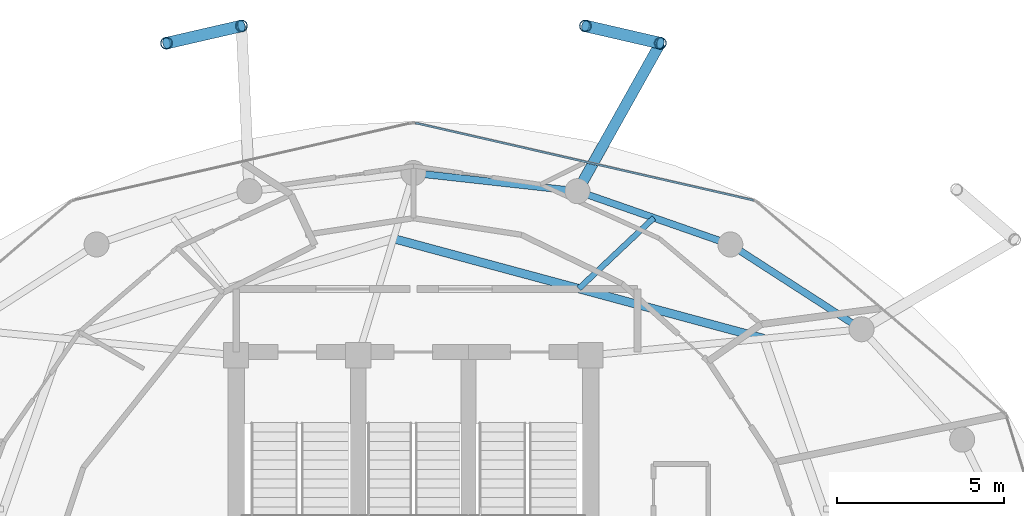
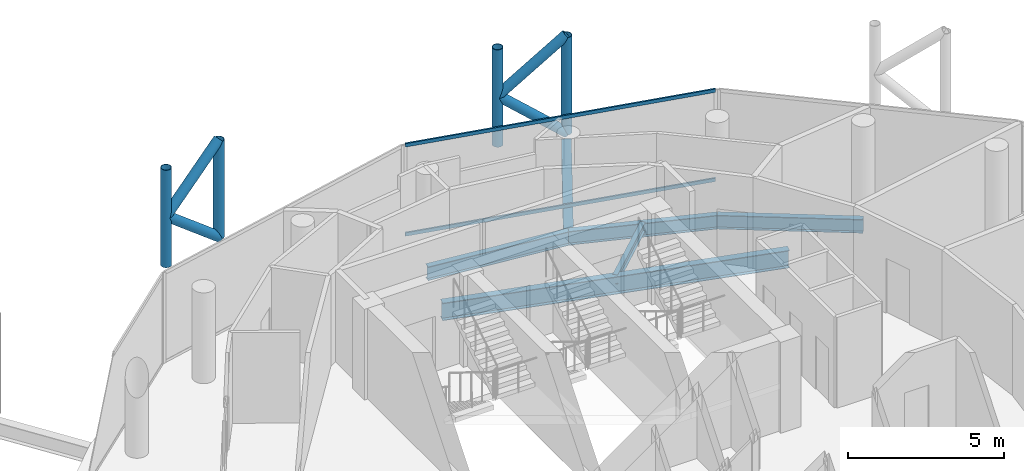
# One storey, part 17 of 24: 10 members, 6 beams, 1 element without a shape of its own.
"""IFC4 building model written with IfcOpenShell, lengths in metres."""

from ifc_helpers import new_model, si_unit, direction, frame, origin, origin_2d, place, context, subcontext, project, spatial, hollow_rectangle, hollow_circle, i_section, extrude, material, layer, layer_set, material_profile, profile_set, type_object, element, aggregate, save


model = new_model("IFC4")

# Units and contexts
model_context = context("Model", 3, precision=1e-05, world=origin(), true_north=direction((0.0, 1.0)))
body_context = subcontext(model_context, "Body", "Model", "MODEL_VIEW")
ifc_project = project(units=[si_unit("LENGTHUNIT", "METRE"), si_unit("AREAUNIT", "SQUARE_METRE"), si_unit("VOLUMEUNIT", "CUBIC_METRE"), si_unit("PLANEANGLEUNIT", "RADIAN"), si_unit("MASSUNIT", "GRAM", prefix="KILO")], contexts=[model_context])

# Site, building, storey
site_placement = place(None, origin())
site = spatial("IfcSite", under=ifc_project, at=site_placement, CompositionType="ELEMENT")
building_placement = place(site_placement, origin())
building = spatial("IfcBuilding", under=site, at=building_placement, Name="Nuhasar Tower", CompositionType="ELEMENT")
storey_placement = place(building_placement, frame((0.0, 0.0, 259.39990234375)))
storey = spatial("IfcBuildingStorey", under=building, at=storey_placement, Name="L64", CompositionType="ELEMENT", Elevation=259.39990234375)

# Beams
ifc_material_1 = material(Name="Steel S355", Category="steel")
ifc_material_profile_1 = material_profile(ifc_material_1, i_section(OverallWidth=0.25390625, OverallDepth=0.68408203125, WebThickness=0.012451171875, FlangeThickness=0.018798828125, at=origin_2d()), Name="W27X94")
ifc_profile_set_1 = profile_set([ifc_material_profile_1], Name="Steel S355")
beam_type_1 = type_object("IfcBeamType", Name="BM-INRING-W27X94", PredefinedType="BEAM", material=ifc_profile_set_1)
beam_1_placement = place(storey_placement, frame((49.48388671875, 37.798095703125, -0.601806640625), z_axis=(-0.965451835482, 0.260581567584, 0.0), x_axis=(-0.260581567584, -0.965451835482, 0.0)))
element("IfcBeam", 1, at=beam_1_placement, inside=storey, type_object=beam_type_1, Name="L64 Inner Header Beam 05", PredefinedType="BEAM", context=body_context, shape_type="SweptSolid", body=[
    extrude(i_section(OverallWidth=0.25390625, OverallDepth=0.68408203125, WebThickness=0.012451171875, FlangeThickness=0.018798828125, at=origin_2d()), origin(), (0.0, 0.0, 1.0), 11.474365234375),
])
ifc_material_profile_2 = material_profile(ifc_material_1, i_section(OverallWidth=0.1708984375, OverallDepth=0.35205078125, WebThickness=0.0068359375, FlangeThickness=0.009765625, at=origin_2d()), Name="W14X30")
ifc_profile_set_2 = profile_set([ifc_material_profile_2], Name="Steel S355")
beam_type_2 = type_object("IfcBeamType", Name="BM-JST-W14X30", PredefinedType="JOIST", material=ifc_profile_set_2)
beam_2_placement = place(storey_placement, frame((43.945068359375, 39.29296875, -0.435791015625), z_axis=(0.727532985224, 0.686072704173, 0.0), x_axis=(-0.686072704173, 0.727532985224, 0.0)))
element("IfcBeam", 2, at=beam_2_placement, inside=storey, type_object=beam_type_2, Name="L64 Secondary Floor Joist 05", PredefinedType="JOIST", context=body_context, shape_type="SweptSolid", body=[
    extrude(i_section(OverallWidth=0.1708984375, OverallDepth=0.35205078125, WebThickness=0.0068359375, FlangeThickness=0.009765625, at=origin_2d()), origin(), (0.0, 0.0, 1.0), 3.085693359375),
])
ifc_material_profile_3 = material_profile(ifc_material_1, i_section(OverallWidth=0.2099609375, OverallDepth=0.537109375, WebThickness=0.010986328125, FlangeThickness=0.017333984375, at=origin_2d()), Name="W21X68")
ifc_profile_set_3 = profile_set([ifc_material_profile_3], Name="Steel S355")
beam_type_3 = type_object("IfcBeamType", Name="BM-RING-W21X68", PredefinedType="SPANDREL", material=ifc_profile_set_3)
beam_3_placement = place(storey_placement, frame((52.39990234375, 38.077880859375, -0.52880859375), z_axis=(-0.840001671147, 0.54258381147, 0.0), x_axis=(-0.54258381147, -0.840001671147, 0.0)))
element("IfcBeam", 3, at=beam_3_placement, inside=storey, type_object=beam_type_3, Name="L64 Perimeter Ring Spandrel 04", PredefinedType="SPANDREL", context=body_context, shape_type="SweptSolid", body=[
    extrude(i_section(OverallWidth=0.2099609375, OverallDepth=0.537109375, WebThickness=0.010986328125, FlangeThickness=0.017333984375, at=origin_2d()), origin(), (0.0, 0.0, 1.0), 4.67236328125),
])
beam_4_placement = place(storey_placement, frame((48.47509765625, 40.613037109375, -0.52880859375), z_axis=(-0.944214043504, 0.329332415729, 0.0), x_axis=(-0.329332415729, -0.944214043504, 0.0)))
element("IfcBeam", 4, at=beam_4_placement, inside=storey, type_object=beam_type_3, Name="L64 Perimeter Ring Spandrel 05", PredefinedType="SPANDREL", context=body_context, shape_type="SweptSolid", body=[
    extrude(i_section(OverallWidth=0.2099609375, OverallDepth=0.537109375, WebThickness=0.010986328125, FlangeThickness=0.017333984375, at=origin_2d()), origin(), (0.0, 0.0, 1.0), 4.840087890625),
])
beam_5_placement = place(storey_placement, frame((43.905029296875, 42.20703125, -0.52880859375), z_axis=(-0.99392889943, 0.110024283128, 0.0), x_axis=(-0.110024283128, -0.99392889943, 0.0)))
element("IfcBeam", 5, at=beam_5_placement, inside=storey, type_object=beam_type_3, Name="L64 Perimeter Ring Spandrel 06", PredefinedType="SPANDREL", context=body_context, shape_type="SweptSolid", body=[
    extrude(i_section(OverallWidth=0.2099609375, OverallDepth=0.537109375, WebThickness=0.010986328125, FlangeThickness=0.017333984375, at=origin_2d()), origin(), (0.0, 0.0, 1.0), 4.93505859375),
])
ifc_material_profile_4 = material_profile(ifc_material_1, i_section(OverallWidth=0.323974609375, OverallDepth=0.611083984375, WebThickness=0.0126953125, FlangeThickness=0.01904296875, at=origin_2d()), Name="W24X104")
ifc_profile_set_4 = profile_set([ifc_material_profile_4], Name="Steel S355")
beam_type_4 = type_object("IfcBeamType", Name="BM-TIE-W24X104", PredefinedType="BEAM", material=ifc_profile_set_4)
beam_6_placement = place(storey_placement, frame((43.905029296875, 42.20703125, -0.56591796875), z_axis=(0.488667847762, 0.872469904675, 0.0), x_axis=(-0.872469904675, 0.488667847762, 0.0)))
element("IfcBeam", 6, at=beam_6_placement, inside=storey, type_object=beam_type_4, Name="L64 Exoskeleton Node Tie Beam 03", PredefinedType="BEAM", context=body_context, shape_type="SweptSolid", body=[
    extrude(i_section(OverallWidth=0.323974609375, OverallDepth=0.611083984375, WebThickness=0.0126953125, FlangeThickness=0.01904296875, at=origin_2d()), origin(), (0.0, 0.0, 1.0), 5.072998046875),
])

# Curtain wall, members
ifc_material_2 = material(Name="Aluminium 6063-T6", Category="aluminium")
ifc_layer = layer(ifc_material_2, 0.18994140625)
ifc_layer_set = layer_set([ifc_layer], Name="Aluminium 6063-T6")
curtain_wall_type = type_object("IfcCurtainWallType", Name="CW-Z4-PEN", PredefinedType="NOTDEFINED", material=ifc_layer_set)
curtain_wall_placement = place(storey_placement, origin())
curtain_wall = element("IfcCurtainWall", 7, at=curtain_wall_placement, inside=storey, type_object=curtain_wall_type, Name="L64 Unitised Curtain Wall 03", PredefinedType="NOTDEFINED")
ifc_material_profile_5 = material_profile(ifc_material_2, hollow_rectangle(XDim=0.06005859375, YDim=0.135009765625, WallThickness=0.00439453125, at=origin_2d()), Name="CWT-5")
ifc_profile_set_5 = profile_set([ifc_material_profile_5], Name="Aluminium 6063-T6")
member_type_1 = type_object("IfcMemberType", Name="CW-TRN-S5", PredefinedType="USERDEFINED", material=ifc_profile_set_5)
member_1_placement = place(storey_placement, frame((49.171630859375, 41.934326171875, 0.030029296875), z_axis=(-0.974843752401, 0.222889341163, 0.0), x_axis=(-0.222889341163, -0.974843752401, 0.0)))
member_1 = element("IfcMember", 8, at=member_1_placement, type_object=member_type_1, Name="CW-Z4 transom 1.1", ObjectType="TRANSOM", PredefinedType="USERDEFINED", context=body_context, shape_type="SweptSolid", body=[
    extrude(hollow_rectangle(XDim=0.06005859375, YDim=0.135009765625, WallThickness=0.00439453125, at=origin_2d()), origin(), (0.0, 0.0, 1.0), 10.3740234375),
])
member_2_placement = place(storey_placement, frame((49.171630859375, 41.934326171875, 3.510009765625), z_axis=(-0.974843752401, 0.222889341163, 0.0), x_axis=(-0.222889341163, -0.974843752401, 0.0)))
member_2 = element("IfcMember", 9, at=member_2_placement, type_object=member_type_1, Name="CW-Z4 transom 1.2", ObjectType="TRANSOM", PredefinedType="USERDEFINED", context=body_context, shape_type="SweptSolid", body=[
    extrude(hollow_rectangle(XDim=0.06005859375, YDim=0.135009765625, WallThickness=0.00439453125, at=origin_2d()), origin(), (0.0, 0.0, 1.0), 10.3740234375),
])
aggregate(curtain_wall, [member_1, member_2])

# Members
ifc_material_3 = material(Name="Steel S460", Category="steel")
ifc_material_profile_6 = material_profile(ifc_material_3, hollow_circle(Radius=0.177734375, WallThickness=0.015869140625, at=origin_2d()), Name="HSS355.6X15.9")
ifc_profile_set_6 = profile_set([ifc_material_profile_6], Name="Steel S460")
member_type_2 = type_object("IfcMemberType", Name="EXO-BRONZE-356", PredefinedType="BRACE", material=ifc_profile_set_6)
for number, where, z_axis, x_axis, name in (
    (10, (46.384033203125, 46.633056640625, 0.0), (0.0, 0.0, 1.0), (1.0, 0.0, 0.0), "L64 Exoskeleton Chord Column EC-03A"),
    (11, (44.14306640625, 47.14892578125, 0.0), (0.0, 0.0, 1.0), (1.0, 0.0, 0.0), "L64 Exoskeleton Chord Column EC-03B"),
    (12, (33.85693359375, 47.14892578125, 0.0), (0.0, 0.0, 1.0), (1.0, 0.0, 0.0), "L64 Exoskeleton Chord Column EC-04A"),
    (13, (31.615966796875, 46.633056640625, 0.0), (0.0, 0.0, 1.0), (1.0, 0.0, 0.0), "L64 Exoskeleton Chord Column EC-04B"),
):
    element("IfcMember", number, at=place(storey_placement, frame(where, z_axis=z_axis, x_axis=x_axis)), inside=storey, type_object=member_type_2, Name=name, PredefinedType="BRACE", context=body_context, shape_type="SweptSolid", body=[
        extrude(hollow_circle(Radius=0.177734375, WallThickness=0.015869140625, at=origin_2d()), origin(), (0.0, 0.0, 1.0), 3.800048828125),
    ])
member_3_placement = place(storey_placement, frame((46.384033203125, 46.633056640625, 0.0), z_axis=(-0.751232450652, 0.172933235454, 0.636980298881), x_axis=(-0.224332214284, -0.974512728308, 0.0)))
element("IfcMember", 14, at=member_3_placement, inside=storey, type_object=member_type_2, Name="L64 Bronze Diagrid Brace W1-03", PredefinedType="BRACE", context=body_context, shape_type="SweptSolid", body=[
    extrude(hollow_circle(Radius=0.177734375, WallThickness=0.015869140625, at=origin_2d()), origin(), (0.0, 0.0, 1.0), 2.983154296875),
])
member_4_placement = place(storey_placement, frame((44.14306640625, 47.14892578125, 1.900146484375), z_axis=(0.751271614502, -0.172942250947, 0.636931659663), x_axis=(0.224332214284, 0.974512728308, 0.0)))
element("IfcMember", 15, at=member_4_placement, inside=storey, type_object=member_type_2, Name="L64 Bronze Diagrid Brace W2-03", PredefinedType="BRACE", context=body_context, shape_type="SweptSolid", body=[
    extrude(hollow_circle(Radius=0.177734375, WallThickness=0.015869140625, at=origin_2d()), origin(), (0.0, 0.0, 1.0), 2.98291015625),
])
member_5_placement = place(storey_placement, frame((33.85693359375, 47.14892578125, 0.0), z_axis=(-0.751232450652, -0.172933235454, 0.636980298881), x_axis=(0.224332214284, -0.974512728308, 0.0)))
element("IfcMember", 16, at=member_5_placement, inside=storey, type_object=member_type_2, Name="L64 Bronze Diagrid Brace W1-04", PredefinedType="BRACE", context=body_context, shape_type="SweptSolid", body=[
    extrude(hollow_circle(Radius=0.177734375, WallThickness=0.015869140625, at=origin_2d()), origin(), (0.0, 0.0, 1.0), 2.983154296875),
])
member_6_placement = place(storey_placement, frame((31.615966796875, 46.633056640625, 1.900146484375), z_axis=(0.751271614502, 0.172942250947, 0.636931659663), x_axis=(-0.224332214284, 0.974512728308, 0.0)))
element("IfcMember", 17, at=member_6_placement, inside=storey, type_object=member_type_2, Name="L64 Bronze Diagrid Brace W2-04", PredefinedType="BRACE", context=body_context, shape_type="SweptSolid", body=[
    extrude(hollow_circle(Radius=0.177734375, WallThickness=0.015869140625, at=origin_2d()), origin(), (0.0, 0.0, 1.0), 2.98291015625),
])

save(model, "model.ifc")
